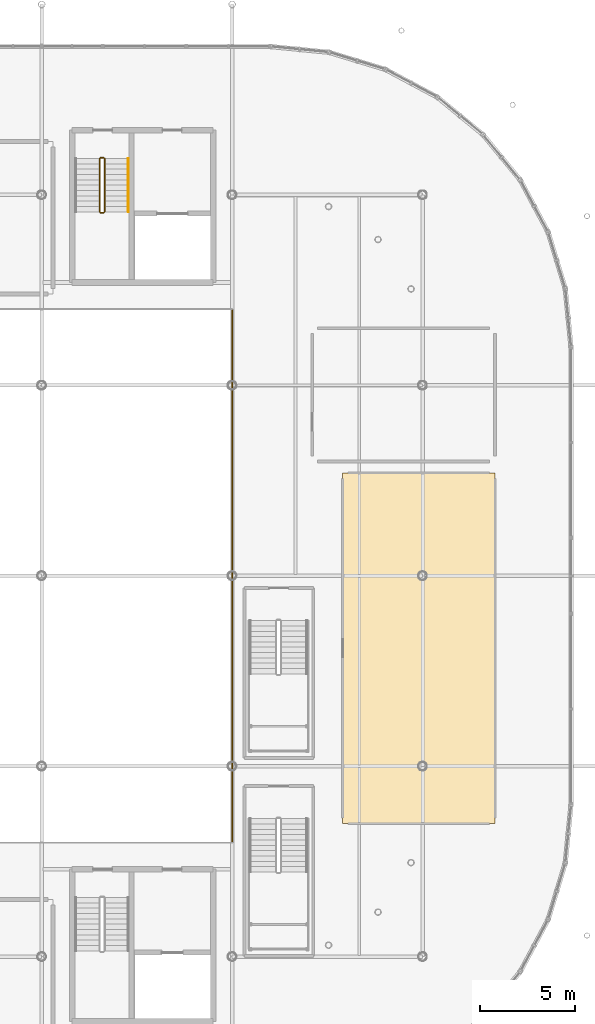
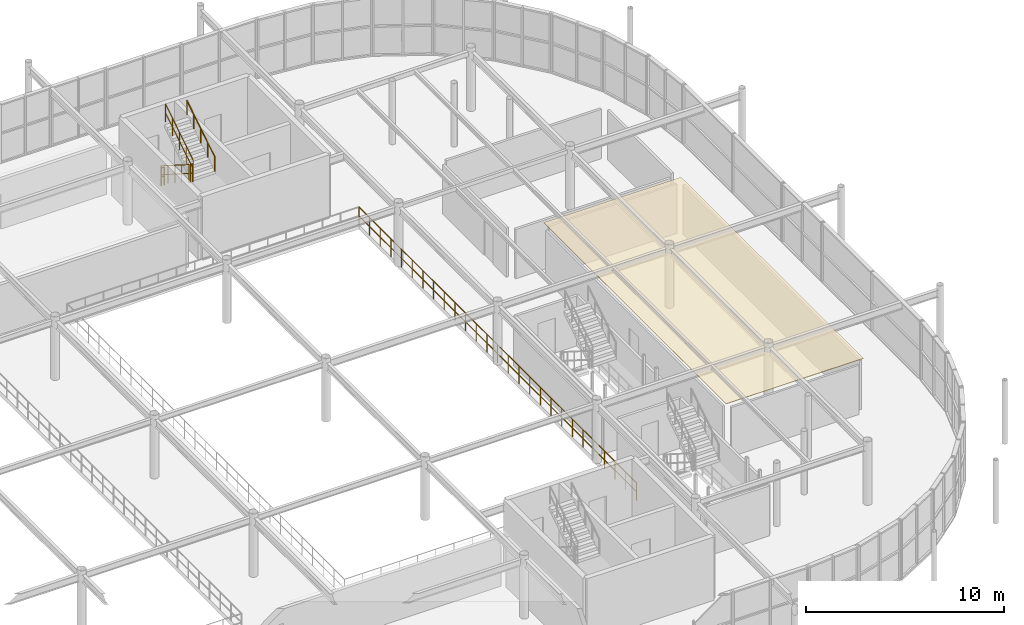
# One storey, part 97 of 98: 6 railings, 1 covering.
"""IFC4 building model written with IfcOpenShell, lengths in metres."""

from ifc_helpers import new_model, si_unit, derived_unit, direction, frame, origin, origin_2d_with_axis, place, context, subcontext, project, spatial, polyline, circle, outline, extrude, material, layer, layer_set, type_object, element, save


model = new_model("IFC4")

# Units and contexts
model_context = context("Model", 3, precision=1e-05, world=origin(), true_north=direction((0.0, 1.0)))
body_context = subcontext(model_context, "Body", "Model", "MODEL_VIEW")
ifc_project = project(units=[si_unit("LENGTHUNIT", "METRE"), si_unit("AREAUNIT", "SQUARE_METRE"), si_unit("VOLUMEUNIT", "CUBIC_METRE"), si_unit("PLANEANGLEUNIT", "RADIAN"), si_unit("MASSUNIT", "GRAM", prefix="KILO"), derived_unit("THERMALTRANSMITTANCEUNIT", [(si_unit("POWERUNIT", "WATT"), 1), (si_unit("LENGTHUNIT", "METRE"), -2), (si_unit("THERMODYNAMICTEMPERATUREUNIT", "KELVIN"), -1)])], contexts=[model_context])

# Site, building, storey
site_placement = place(None, origin())
site = spatial("IfcSite", under=ifc_project, at=site_placement, CompositionType="ELEMENT")
building_placement = place(site_placement, origin())
building = spatial("IfcBuilding", under=site, at=building_placement, Name="Cinnabar Yard Market Hall", CompositionType="ELEMENT")
storey_placement = place(building_placement, frame((0.0, 0.0, 4.5)))
storey = spatial("IfcBuildingStorey", under=building, at=storey_placement, Name="L01", CompositionType="ELEMENT", Elevation=4.5)

# Covering
ifc_material_1 = material(Name="Perforated acoustic spotted-gum timber slats", Category="wood")
ifc_layer_1 = layer(ifc_material_1, 0.0400390625)
ifc_layer_set_1 = layer_set([ifc_layer_1], Name="Perforated acoustic spotted-gum timber slats")
covering_type = type_object("IfcCoveringType", Name="COV-CLG1", PredefinedType="CEILING", material=ifc_layer_set_1)
covering_placement = place(storey_placement, frame((0.0, 0.0, 3.2900390625)))
element("IfcCovering", 1, at=covering_placement, inside=storey, type_object=covering_type, Name="Ceiling East Gallery Tandoor and Grill Restaurant", PredefinedType="CEILING", context=body_context, shape_type="SweptSolid", body=[
    extrude(outline(polyline([(151.800048828125, 31.0), (159.800048828125, 31.0), (159.800048828125, 49.39990234375), (151.800048828125, 49.39990234375), (151.800048828125, 31.0)])), origin(), (0.0, 0.0, 1.0), 0.034912109375),
])

# Railings
ifc_material_2 = material(Name="Laminated glass and bronze handrail", Category="glass")
ifc_layer_2 = layer(ifc_material_2, 0.070068359375)
ifc_layer_set_2 = layer_set([ifc_layer_2], Name="Laminated glass and bronze handrail")
railing_type_1 = type_object("IfcRailingType", Name="RL-G01", PredefinedType="BALUSTRADE", material=ifc_layer_set_2)
railing_1_placement = place(storey_placement, frame((146.0, 30.0, 0.0)))
element("IfcRailing", 2, at=railing_1_placement, inside=storey, type_object=railing_type_1, Name="L01 Mezzanine Void 3 Balustrade 2", PredefinedType="BALUSTRADE", context=body_context, shape_type="SweptSolid", body=[
    extrude(circle(Radius=0.02392578125, at=origin_2d_with_axis()), frame((0.0, 0.0, 1.09619140625), z_axis=(0.0, 1.0, 0.0), x_axis=(-1.0, 0.0, 0.0)), (0.0, 0.0, 1.0), 28.0),
    extrude(circle(Radius=0.02392578125, at=origin_2d_with_axis()), frame((0.0, 0.0, 0.550048828125), z_axis=(0.0, 1.0, 0.0), x_axis=(-1.0, 0.0, 0.0)), (0.0, 0.0, 1.0), 28.0),
    extrude(circle(Radius=0.02099609375, at=origin_2d_with_axis()), origin(), (0.0, 0.0, 1.0), 1.072021484375),
    extrude(circle(Radius=0.02099609375, at=origin_2d_with_axis()), frame((0.0, 1.076904296875, 0.0)), (0.0, 0.0, 1.0), 1.072021484375),
    extrude(circle(Radius=0.02099609375, at=origin_2d_with_axis()), frame((0.0, 2.15380859375, 0.0)), (0.0, 0.0, 1.0), 1.072021484375),
    extrude(circle(Radius=0.02099609375, at=origin_2d_with_axis()), frame((0.0, 3.230712890625, 0.0)), (0.0, 0.0, 1.0), 1.072021484375),
    extrude(circle(Radius=0.02099609375, at=origin_2d_with_axis()), frame((0.0, 4.3076171875, 0.0)), (0.0, 0.0, 1.0), 1.072021484375),
    extrude(circle(Radius=0.02099609375, at=origin_2d_with_axis()), frame((0.0, 5.384521484375, 0.0)), (0.0, 0.0, 1.0), 1.072021484375),
    extrude(circle(Radius=0.02099609375, at=origin_2d_with_axis()), frame((0.0, 6.46142578125, 0.0)), (0.0, 0.0, 1.0), 1.072021484375),
    extrude(circle(Radius=0.02099609375, at=origin_2d_with_axis()), frame((0.0, 7.53857421875, 0.0)), (0.0, 0.0, 1.0), 1.072021484375),
    extrude(circle(Radius=0.02099609375, at=origin_2d_with_axis()), frame((0.0, 8.615478515625, 0.0)), (0.0, 0.0, 1.0), 1.072021484375),
    extrude(circle(Radius=0.02099609375, at=origin_2d_with_axis()), frame((0.0, 9.6923828125, 0.0)), (0.0, 0.0, 1.0), 1.072021484375),
    extrude(circle(Radius=0.02099609375, at=origin_2d_with_axis()), frame((0.0, 10.769287109375, 0.0)), (0.0, 0.0, 1.0), 1.072021484375),
    extrude(circle(Radius=0.02099609375, at=origin_2d_with_axis()), frame((0.0, 11.84619140625, 0.0)), (0.0, 0.0, 1.0), 1.072021484375),
    extrude(circle(Radius=0.02099609375, at=origin_2d_with_axis()), frame((0.0, 12.923095703125, 0.0)), (0.0, 0.0, 1.0), 1.072021484375),
    extrude(circle(Radius=0.02099609375, at=origin_2d_with_axis()), frame((0.0, 14.0, 0.0)), (0.0, 0.0, 1.0), 1.072021484375),
    extrude(circle(Radius=0.02099609375, at=origin_2d_with_axis()), frame((0.0, 15.076904296875, 0.0)), (0.0, 0.0, 1.0), 1.072021484375),
    extrude(circle(Radius=0.02099609375, at=origin_2d_with_axis()), frame((0.0, 16.15380859375, 0.0)), (0.0, 0.0, 1.0), 1.072021484375),
    extrude(circle(Radius=0.02099609375, at=origin_2d_with_axis()), frame((0.0, 17.230712890625, 0.0)), (0.0, 0.0, 1.0), 1.072021484375),
    extrude(circle(Radius=0.02099609375, at=origin_2d_with_axis()), frame((0.0, 18.3076171875, 0.0)), (0.0, 0.0, 1.0), 1.072021484375),
    extrude(circle(Radius=0.02099609375, at=origin_2d_with_axis()), frame((0.0, 19.384521484375, 0.0)), (0.0, 0.0, 1.0), 1.072021484375),
    extrude(circle(Radius=0.02099609375, at=origin_2d_with_axis()), frame((0.0, 20.46142578125, 0.0)), (0.0, 0.0, 1.0), 1.072021484375),
    extrude(circle(Radius=0.02099609375, at=origin_2d_with_axis()), frame((0.0, 21.53857421875, 0.0)), (0.0, 0.0, 1.0), 1.072021484375),
    extrude(circle(Radius=0.02099609375, at=origin_2d_with_axis()), frame((0.0, 22.615478515625, 0.0)), (0.0, 0.0, 1.0), 1.072021484375),
    extrude(circle(Radius=0.02099609375, at=origin_2d_with_axis()), frame((0.0, 23.6923828125, 0.0)), (0.0, 0.0, 1.0), 1.072021484375),
    extrude(circle(Radius=0.02099609375, at=origin_2d_with_axis()), frame((0.0, 24.769287109375, 0.0)), (0.0, 0.0, 1.0), 1.072021484375),
    extrude(circle(Radius=0.02099609375, at=origin_2d_with_axis()), frame((0.0, 25.84619140625, 0.0)), (0.0, 0.0, 1.0), 1.072021484375),
    extrude(circle(Radius=0.02099609375, at=origin_2d_with_axis()), frame((0.0, 26.923095703125, 0.0)), (0.0, 0.0, 1.0), 1.072021484375),
    extrude(circle(Radius=0.02099609375, at=origin_2d_with_axis()), frame((0.0, 28.0, 0.0)), (0.0, 0.0, 1.0), 1.072021484375),
])
ifc_material_3 = material(Name="Galvanised steel Grade 300 (300 MPa) guardrail", Category="steel")
ifc_layer_3 = layer(ifc_material_3, 0.06005859375)
ifc_layer_set_3 = layer_set([ifc_layer_3], Name="Galvanised steel Grade 300 (300 MPa) guardrail")
railing_type_2 = type_object("IfcRailingType", Name="RL-G03", PredefinedType="GUARDRAIL", material=ifc_layer_set_3)
railing_2_placement = place(storey_placement, frame((139.0400390625, 65.909912109375, 0.17724609375)))
element("IfcRailing", 3, at=railing_2_placement, inside=storey, type_object=railing_type_2, Name="L01 ST-C7 stair guard 1", PredefinedType="GUARDRAIL", context=body_context, shape_type="SweptSolid", body=[
    extrude(circle(Radius=0.02392578125, at=origin_2d_with_axis()), frame((0.0, 0.0, 1.09619140625), z_axis=(0.0, -0.844887892834, 0.53494340686), x_axis=(1.0, 0.0, 0.0)), (0.0, 0.0, 1.0), 3.313720703125),
    extrude(circle(Radius=0.02392578125, at=origin_2d_with_axis()), frame((0.0, 0.0, 0.550048828125), z_axis=(0.0, -0.844887892834, 0.53494340686), x_axis=(1.0, 0.0, 0.0)), (0.0, 0.0, 1.0), 3.313720703125),
    extrude(circle(Radius=0.02099609375, at=origin_2d_with_axis()), origin(), (0.0, 0.0, 1.0), 1.072021484375),
    extrude(circle(Radius=0.02099609375, at=origin_2d_with_axis()), frame((0.0, -0.699951171875, 0.443115234375)), (0.0, 0.0, 1.0), 1.072021484375),
    extrude(circle(Radius=0.02099609375, at=origin_2d_with_axis()), frame((0.0, -1.39990234375, 0.88623046875)), (0.0, 0.0, 1.0), 1.072021484375),
    extrude(circle(Radius=0.02099609375, at=origin_2d_with_axis()), frame((0.0, -2.099853515625, 1.32958984375)), (0.0, 0.0, 1.0), 1.072021484375),
    extrude(circle(Radius=0.02099609375, at=origin_2d_with_axis()), frame((0.0, -2.7998046875, 1.772705078125)), (0.0, 0.0, 1.0), 1.072021484375),
])
railing_3_placement = place(storey_placement, frame((139.090087890625, 63.06005859375, 1.949951171875)))
element("IfcRailing", 4, at=railing_3_placement, inside=storey, type_object=railing_type_2, Name="L01 ST-C7 stair guard 2", PredefinedType="GUARDRAIL", context=body_context, shape_type="SweptSolid", body=[
    extrude(circle(Radius=0.02392578125, at=origin_2d_with_axis()), frame((0.0, 0.0, 1.09619140625), z_axis=(1.0, 0.0, 0.0), x_axis=(0.0, 1.0, 0.0)), (0.0, 0.0, 1.0), 0.159912109375),
    extrude(circle(Radius=0.02392578125, at=origin_2d_with_axis()), frame((0.0, 0.0, 0.550048828125), z_axis=(1.0, 0.0, 0.0), x_axis=(0.0, 1.0, 0.0)), (0.0, 0.0, 1.0), 0.159912109375),
    extrude(circle(Radius=0.02099609375, at=origin_2d_with_axis()), origin(), (0.0, 0.0, 1.0), 1.072021484375),
    extrude(circle(Radius=0.02099609375, at=origin_2d_with_axis()), frame((0.159912109375, 0.0, 0.0)), (0.0, 0.0, 1.0), 1.072021484375),
])
railing_4_placement = place(storey_placement, frame((139.300048828125, 63.110107421875, 2.127197265625)))
element("IfcRailing", 5, at=railing_4_placement, inside=storey, type_object=railing_type_2, Name="L01 ST-C7 stair guard 3", PredefinedType="GUARDRAIL", context=body_context, shape_type="SweptSolid", body=[
    extrude(circle(Radius=0.02392578125, at=origin_2d_with_axis()), frame((0.0, 0.0, 1.09619140625), z_axis=(0.0, 0.844887892834, 0.53494340686), x_axis=(-1.0, 0.0, 0.0)), (0.0, 0.0, 1.0), 3.313720703125),
    extrude(circle(Radius=0.02392578125, at=origin_2d_with_axis()), frame((0.0, 0.0, 0.550048828125), z_axis=(0.0, 0.844887892834, 0.53494340686), x_axis=(-1.0, 0.0, 0.0)), (0.0, 0.0, 1.0), 3.313720703125),
    extrude(circle(Radius=0.02099609375, at=origin_2d_with_axis()), origin(), (0.0, 0.0, 1.0), 1.072021484375),
    extrude(circle(Radius=0.02099609375, at=origin_2d_with_axis()), frame((0.0, 0.699951171875, 0.443115234375)), (0.0, 0.0, 1.0), 1.072021484375),
    extrude(circle(Radius=0.02099609375, at=origin_2d_with_axis()), frame((0.0, 1.39990234375, 0.88623046875)), (0.0, 0.0, 1.0), 1.072021484375),
    extrude(circle(Radius=0.02099609375, at=origin_2d_with_axis()), frame((0.0, 2.099853515625, 1.32958984375)), (0.0, 0.0, 1.0), 1.072021484375),
    extrude(circle(Radius=0.02099609375, at=origin_2d_with_axis()), frame((0.0, 2.7998046875, 1.772705078125)), (0.0, 0.0, 1.0), 1.072021484375),
])
railing_5_placement = place(storey_placement, frame((139.090087890625, 65.9599609375, 0.0)))
element("IfcRailing", 6, at=railing_5_placement, inside=storey, type_object=railing_type_2, Name="L01 ST-C7 stair guard 4", PredefinedType="GUARDRAIL", context=body_context, shape_type="SweptSolid", body=[
    extrude(circle(Radius=0.02392578125, at=origin_2d_with_axis()), frame((0.0, 0.0, 1.09619140625), z_axis=(1.0, 0.0, 0.0), x_axis=(0.0, 1.0, 0.0)), (0.0, 0.0, 1.0), 0.159912109375),
    extrude(circle(Radius=0.02392578125, at=origin_2d_with_axis()), frame((0.0, 0.0, 0.550048828125), z_axis=(1.0, 0.0, 0.0), x_axis=(0.0, 1.0, 0.0)), (0.0, 0.0, 1.0), 0.159912109375),
    extrude(circle(Radius=0.02099609375, at=origin_2d_with_axis()), origin(), (0.0, 0.0, 1.0), 1.072021484375),
    extrude(circle(Radius=0.02099609375, at=origin_2d_with_axis()), frame((0.159912109375, 0.0, 0.0)), (0.0, 0.0, 1.0), 1.072021484375),
])
ifc_material_4 = material(Name="Brushed stainless steel handrail", Category="steel")
ifc_layer_4 = layer(ifc_material_4, 0.050048828125)
ifc_layer_set_4 = layer_set([ifc_layer_4], Name="Brushed stainless steel handrail")
railing_type_3 = type_object("IfcRailingType", Name="RL-HR1", PredefinedType="HANDRAIL", material=ifc_layer_set_4)
railing_6_placement = place(storey_placement, frame((140.550048828125, 63.110107421875, 2.127197265625)))
element("IfcRailing", 7, at=railing_6_placement, inside=storey, type_object=railing_type_3, Name="L01 ST-C7 stair handrail 2", PredefinedType="HANDRAIL", context=body_context, shape_type="SweptSolid", body=[
    extrude(circle(Radius=0.02392578125, at=origin_2d_with_axis()), frame((0.0, 0.0, 0.8759765625), z_axis=(0.0, 0.844887892834, 0.53494340686), x_axis=(-1.0, 0.0, 0.0)), (0.0, 0.0, 1.0), 3.313720703125),
    extrude(circle(Radius=0.02099609375, at=origin_2d_with_axis()), origin(), (0.0, 0.0, 1.0), 0.851806640625),
    extrude(circle(Radius=0.02099609375, at=origin_2d_with_axis()), frame((0.0, 0.699951171875, 0.443115234375)), (0.0, 0.0, 1.0), 0.851806640625),
    extrude(circle(Radius=0.02099609375, at=origin_2d_with_axis()), frame((0.0, 1.39990234375, 0.88623046875)), (0.0, 0.0, 1.0), 0.851806640625),
    extrude(circle(Radius=0.02099609375, at=origin_2d_with_axis()), frame((0.0, 2.099853515625, 1.32958984375)), (0.0, 0.0, 1.0), 0.851806640625),
    extrude(circle(Radius=0.02099609375, at=origin_2d_with_axis()), frame((0.0, 2.7998046875, 1.772705078125)), (0.0, 0.0, 1.0), 0.851806640625),
])

save(model, "model.ifc")
